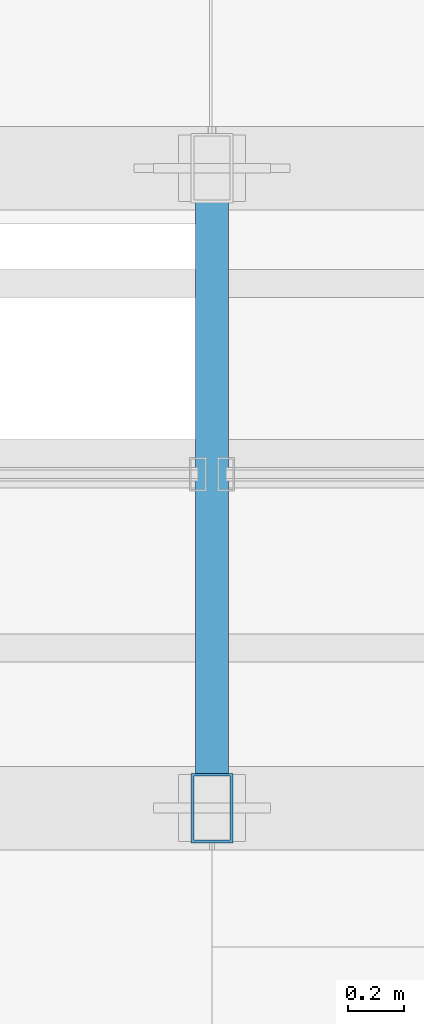
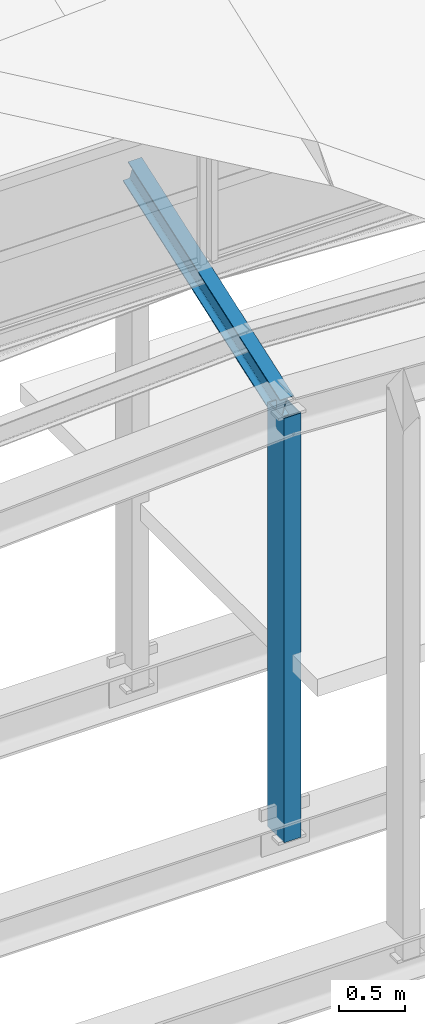
# One storey, part 96 of 141: 2 members.
"""IFC4 building model written with IfcOpenShell, lengths in metres."""

from ifc_helpers import new_model, si_unit, direction, frame, origin, origin_2d, place, context, subcontext, project, spatial, hollow_rectangle, i_section, extrude, material, material_profile, profile_set, type_object, element, save


model = new_model("IFC4")

# Units and contexts
model_context = context("Model", 3, precision=1e-05, world=origin(), true_north=direction((0.0, 1.0)))
body_context = subcontext(model_context, "Body", "Model", "MODEL_VIEW")
ifc_project = project(units=[si_unit("LENGTHUNIT", "METRE"), si_unit("AREAUNIT", "SQUARE_METRE"), si_unit("VOLUMEUNIT", "CUBIC_METRE"), si_unit("PLANEANGLEUNIT", "RADIAN"), si_unit("MASSUNIT", "GRAM", prefix="KILO")], contexts=[model_context])

# Site, building, storey
site_placement = place(None, origin())
site = spatial("IfcSite", under=ifc_project, at=site_placement, CompositionType="ELEMENT")
building_placement = place(site_placement, origin())
building = spatial("IfcBuilding", under=site, at=building_placement, Name="Sundkrona Museum", CompositionType="ELEMENT")
storey_placement = place(building_placement, frame((0.0, 0.0, 34.0)))
storey = spatial("IfcBuildingStorey", under=building, at=storey_placement, Name="RF", CompositionType="ELEMENT", Elevation=34.0)

# Members
ifc_material = material(Name="Steel S355J2", Category="steel")
ifc_material_profile_1 = material_profile(ifc_material, i_section(OverallWidth=0.1201171875, OverallDepth=0.239990234375, WebThickness=0.006103515625, FlangeThickness=0.009765625, FilletRadius=0.014892578125, at=origin_2d()), Name="IPE 240")
ifc_profile_set_1 = profile_set([ifc_material_profile_1], Name="Steel S355J2")
member_type_1 = type_object("IfcMemberType", Name="PR-IPE240", PredefinedType="PURLIN", material=ifc_profile_set_1)
member_1_placement = place(storey_placement, frame((144.0, 41.5, 3.6669921875), z_axis=(0.0, 0.943650478915, 0.330943762056), x_axis=(-1.0, 0.0, 0.0)))
element("IfcMember", 1, at=member_1_placement, inside=storey, type_object=member_type_1, Name="RFS-1 Sawtooth Bay 7 Transverse Rafter 4", PredefinedType="PURLIN", context=body_context, shape_type="SweptSolid", body=[
    extrude(i_section(OverallWidth=0.1201171875, OverallDepth=0.239990234375, WebThickness=0.006103515625, FlangeThickness=0.009765625, FilletRadius=0.014892578125, at=origin_2d()), origin(), (0.0, 0.0, 1.0), 2.4375),
])
ifc_material_profile_2 = material_profile(ifc_material, hollow_rectangle(XDim=0.14990234375, YDim=0.25, WallThickness=0.010009765625, at=origin_2d()), Name="RHS 250x150x10.0")
ifc_profile_set_2 = profile_set([ifc_material_profile_2], Name="Steel S355J2")
member_type_2 = type_object("IfcMemberType", Name="ST-RHS250", PredefinedType="STRUT", material=ifc_profile_set_2)
member_2_placement = place(storey_placement, frame((144.0, 41.5, -0.25), z_axis=(0.0, 0.0, 1.0), x_axis=(1.0, 0.0, 0.0)))
element("IfcMember", 2, at=member_2_placement, inside=storey, type_object=member_type_2, Name="RFS-1 Sawtooth Bay 7 Valley Post 4", PredefinedType="STRUT", context=body_context, shape_type="SweptSolid", body=[
    extrude(hollow_rectangle(XDim=0.14990234375, YDim=0.25, WallThickness=0.010009765625, at=origin_2d()), origin(), (0.0, 0.0, 1.0), 3.9169921875),
])

save(model, "model.ifc")
